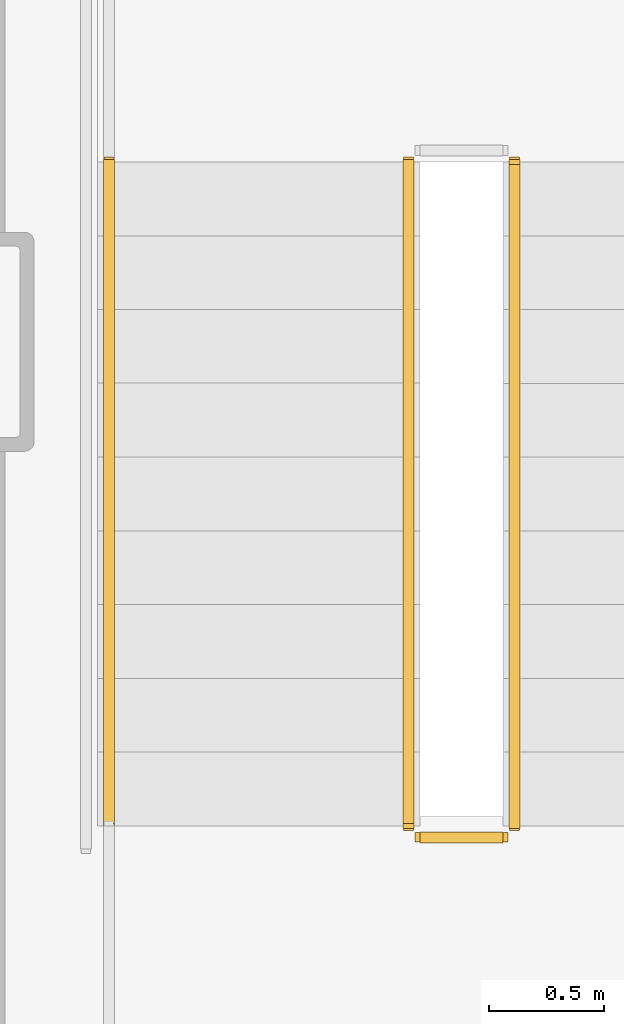
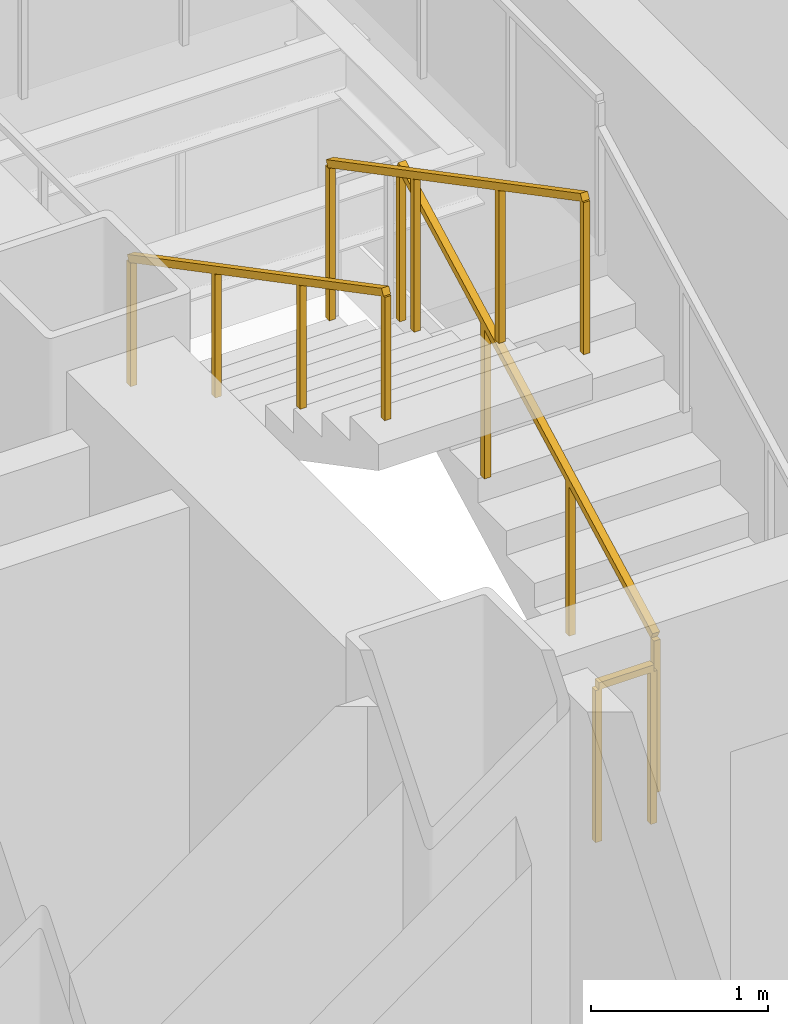
# One storey, part 10 of 13: 4 railings.
"""IFC4 building model written with IfcOpenShell, lengths in metres."""

from ifc_helpers import new_model, si_unit, direction, frame, origin, origin_2d, place, context, subcontext, project, spatial, rectangle, extrude, material, layer, layer_set, type_object, element, save


model = new_model("IFC4")

# Units and contexts
model_context = context("Model", 3, precision=1e-05, world=origin(), true_north=direction((0.0, 1.0)))
body_context = subcontext(model_context, "Body", "Model", "MODEL_VIEW")
ifc_project = project(units=[si_unit("LENGTHUNIT", "METRE"), si_unit("AREAUNIT", "SQUARE_METRE"), si_unit("VOLUMEUNIT", "CUBIC_METRE"), si_unit("PLANEANGLEUNIT", "RADIAN"), si_unit("MASSUNIT", "GRAM", prefix="KILO")], contexts=[model_context])

# Site, building, storey
site_placement = place(None, origin())
site = spatial("IfcSite", under=ifc_project, at=site_placement, CompositionType="ELEMENT")
building_placement = place(site_placement, origin())
building = spatial("IfcBuilding", under=site, at=building_placement, Name="Rocaltana Carrier Exchange", CompositionType="ELEMENT")
storey_placement = place(building_placement, frame((0.0, 0.0, 49.60009765625)))
storey = spatial("IfcBuildingStorey", under=building, at=storey_placement, Name="L15", CompositionType="ELEMENT", Elevation=49.60009765625)

# Railings
ifc_material_1 = material(Name="Brushed Architectural Stainless Tube", Category="steel")
ifc_layer_1 = layer(ifc_material_1, 0.048095703125)
ifc_layer_set_1 = layer_set([ifc_layer_1], Name="Brushed Architectural Stainless Tube")
railing_type_1 = type_object("IfcRailingType", Name="Stair Wall Handrail 920", PredefinedType="HANDRAIL", material=ifc_layer_set_1)
railing_1_placement = place(storey_placement, frame((-5.25, 0.780029296875, 1.847900390625)))
element("IfcRailing", 1, at=railing_1_placement, inside=storey, type_object=railing_type_1, Name="L15 ST-1 stair handrail 2", PredefinedType="HANDRAIL", context=body_context, shape_type="SweptSolid", body=[
    extrude(rectangle(XDim=0.048095703125, YDim=0.048095703125, at=origin_2d()), frame((0.0, 0.0, 0.8759765625), z_axis=(0.0, -0.885411030485, 0.464808893091), x_axis=(1.0, 0.0, 0.0)), (0.0, 0.0, 1.0), 3.2529296875),
    extrude(rectangle(XDim=0.0419921875, YDim=0.0419921875, at=origin_2d()), origin(), (0.0, 0.0, 1.0), 0.851806640625),
    extrude(rectangle(XDim=0.0419921875, YDim=0.0419921875, at=origin_2d()), frame((0.0, -0.9599609375, 0.50390625)), (0.0, 0.0, 1.0), 0.851806640625),
    extrude(rectangle(XDim=0.0419921875, YDim=0.0419921875, at=origin_2d()), frame((0.0, -1.920166015625, 1.008056640625)), (0.0, 0.0, 1.0), 0.851806640625),
    extrude(rectangle(XDim=0.0419921875, YDim=0.0419921875, at=origin_2d()), frame((0.0, -2.880126953125, 1.511962890625)), (0.0, 0.0, 1.0), 0.851806640625),
])
ifc_material_2 = material(Name="Powder-Coated Aluminium 6063-T6", Category="aluminium")
ifc_layer_2 = layer(ifc_material_2, 0.048095703125)
ifc_layer_set_2 = layer_set([ifc_layer_2], Name="Powder-Coated Aluminium 6063-T6")
railing_type_2 = type_object("IfcRailingType", Name="Stair Well Guardrail 1100", PredefinedType="GUARDRAIL", material=ifc_layer_set_2)
railing_2_placement = place(storey_placement, frame((-3.489990234375, -2.10009765625, 0.16796875)))
element("IfcRailing", 2, at=railing_2_placement, inside=storey, type_object=railing_type_2, Name="L15 ST-1 stair guard 1", PredefinedType="GUARDRAIL", context=body_context, shape_type="SweptSolid", body=[
    extrude(rectangle(XDim=0.048095703125, YDim=0.048095703125, at=origin_2d()), frame((0.0, 0.0, 1.076171875), z_axis=(0.0, 0.885411030485, 0.464808893091), x_axis=(-1.0, 0.0, 0.0)), (0.0, 0.0, 1.0), 3.2529296875),
    extrude(rectangle(XDim=0.0419921875, YDim=0.0419921875, at=origin_2d()), origin(), (0.0, 0.0, 1.0), 1.052001953125),
    extrude(rectangle(XDim=0.0419921875, YDim=0.0419921875, at=origin_2d()), frame((0.0, 0.9599609375, 0.50390625)), (0.0, 0.0, 1.0), 1.052001953125),
    extrude(rectangle(XDim=0.0419921875, YDim=0.0419921875, at=origin_2d()), frame((0.0, 1.920166015625, 1.008056640625)), (0.0, 0.0, 1.0), 1.052001953125),
    extrude(rectangle(XDim=0.0419921875, YDim=0.0419921875, at=origin_2d()), frame((0.0, 2.880126953125, 1.511962890625)), (0.0, 0.0, 1.0), 1.052001953125),
])
railing_3_placement = place(storey_placement, frame((-3.949951171875, 0.780029296875, 1.847900390625)))
element("IfcRailing", 3, at=railing_3_placement, inside=storey, type_object=railing_type_2, Name="L15 ST-1 stair guard 6", PredefinedType="GUARDRAIL", context=body_context, shape_type="SweptSolid", body=[
    extrude(rectangle(XDim=0.048095703125, YDim=0.048095703125, at=origin_2d()), frame((0.0, 0.0, 1.076171875), z_axis=(0.0, -0.885411030485, 0.464808893091), x_axis=(1.0, 0.0, 0.0)), (0.0, 0.0, 1.0), 3.2529296875),
    extrude(rectangle(XDim=0.0419921875, YDim=0.0419921875, at=origin_2d()), origin(), (0.0, 0.0, 1.0), 1.052001953125),
    extrude(rectangle(XDim=0.0419921875, YDim=0.0419921875, at=origin_2d()), frame((0.0, -0.9599609375, 0.50390625)), (0.0, 0.0, 1.0), 1.052001953125),
    extrude(rectangle(XDim=0.0419921875, YDim=0.0419921875, at=origin_2d()), frame((0.0, -1.920166015625, 1.008056640625)), (0.0, 0.0, 1.0), 1.052001953125),
    extrude(rectangle(XDim=0.0419921875, YDim=0.0419921875, at=origin_2d()), frame((0.0, -2.880126953125, 1.511962890625)), (0.0, 0.0, 1.0), 1.052001953125),
])
railing_4_placement = place(storey_placement, frame((-3.5400390625, -2.14990234375, 0.0)))
element("IfcRailing", 4, at=railing_4_placement, inside=storey, type_object=railing_type_2, Name="L15 ST-1 stair guard 7", PredefinedType="GUARDRAIL", context=body_context, shape_type="SweptSolid", body=[
    extrude(rectangle(XDim=0.048095703125, YDim=0.048095703125, at=origin_2d()), frame((0.0, 0.0, 1.076171875), z_axis=(-1.0, 0.0, 0.0), x_axis=(0.0, -1.0, 0.0)), (0.0, 0.0, 1.0), 0.35986328125),
    extrude(rectangle(XDim=0.0419921875, YDim=0.0419921875, at=origin_2d()), origin(), (0.0, 0.0, 1.0), 1.052001953125),
    extrude(rectangle(XDim=0.0419921875, YDim=0.0419921875, at=origin_2d()), frame((-0.35986328125, 0.0, 0.0)), (0.0, 0.0, 1.0), 1.052001953125),
])

save(model, "model.ifc")
